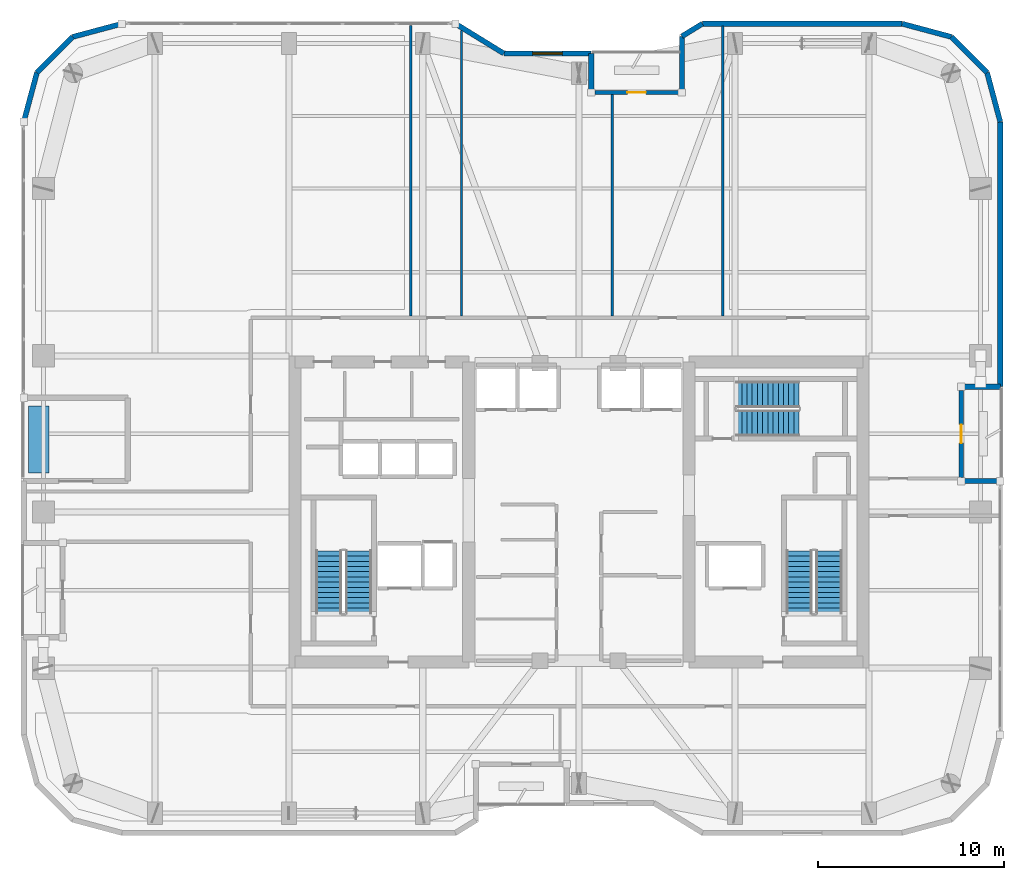
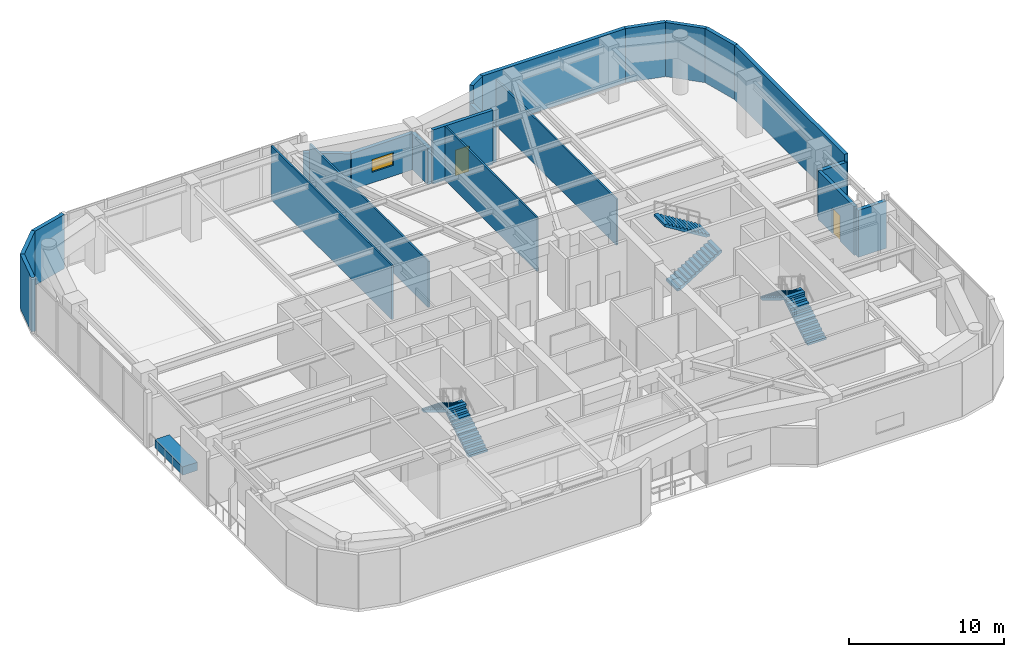
# One storey, part 18 of 21: 21 walls, 6 stair flights, 2 doors, 1 discrete accessory, 1 window, 3 openings, 3 elements without a shape of their own.
"""IFC4 building model written with IfcOpenShell, lengths in metres."""

from ifc_helpers import new_model, si_unit, direction, frame, frame_2d, origin, origin_2d, place, context, subcontext, project, spatial, polyline, rectangle, outline, extrude, material, layer, layer_set, type_object, element, fill, aggregate, save


model = new_model("IFC4")

# Units and contexts
model_context = context("Model", 3, precision=1e-05, world=origin(), true_north=direction((0.0, 1.0)))
body_context = subcontext(model_context, "Body", "Model", "MODEL_VIEW")
ifc_project = project(units=[si_unit("LENGTHUNIT", "METRE"), si_unit("AREAUNIT", "SQUARE_METRE"), si_unit("VOLUMEUNIT", "CUBIC_METRE"), si_unit("PLANEANGLEUNIT", "RADIAN"), si_unit("MASSUNIT", "GRAM", prefix="KILO")], contexts=[model_context])

# Site, building, storey
site_placement = place(None, origin())
site = spatial("IfcSite", under=ifc_project, at=site_placement, CompositionType="ELEMENT")
building_placement = place(site_placement, origin())
building = spatial("IfcBuilding", under=site, at=building_placement, Name="Kiyonajd Concourse Tower", CompositionType="ELEMENT")
storey_placement = place(building_placement, frame((0.0, 0.0, 181.800048828125)))
storey = spatial("IfcBuildingStorey", under=building, at=storey_placement, Name="L46", CompositionType="ELEMENT", Elevation=181.800048828125)

# Walls
ifc_material_1 = material(Name="Precast concrete C50/60", Category="concrete")
ifc_layer_1 = layer(ifc_material_1, 0.280029296875)
ifc_layer_set_1 = layer_set([ifc_layer_1], Name="Precast concrete C50/60")
wall_type_1 = type_object("IfcWallType", Name="WL-EXT-280", PredefinedType="SOLIDWALL", material=ifc_layer_set_1)
wall_1_placement = place(storey_placement, frame((18.139892578125, 56.981689453125, 0.0), z_axis=(0.0, 0.0, 1.0), x_axis=(0.258672222976, 0.9659651552, 0.0)))
element("IfcWall", 1, at=wall_1_placement, inside=storey, type_object=wall_type_1, Name="L46 Exterior Concrete Frame Wall 09", PredefinedType="SOLIDWALL", context=body_context, shape_type="SweptSolid", body=[
    extrude(rectangle(XDim=2.739013671875, YDim=0.280029296875, at=frame_2d((1.36962890625, 0.0))), origin(), (0.0, 0.0, 1.0), 4.280029296875),
])
wall_2_placement = place(storey_placement, frame((18.848388671875, 59.62744140625, 0.0), z_axis=(0.0, 0.0, 1.0), x_axis=(0.707106781187, 0.707106781187, 0.0)))
element("IfcWall", 2, at=wall_2_placement, inside=storey, type_object=wall_type_1, Name="L46 Exterior Concrete Frame Wall 10", PredefinedType="SOLIDWALL", context=body_context, shape_type="SweptSolid", body=[
    extrude(rectangle(XDim=2.720947265625, YDim=0.280029296875, at=frame_2d((1.3603515625, 0.0))), origin(), (0.0, 0.0, 1.0), 4.280029296875),
])
wall_3_placement = place(storey_placement, frame((20.7724609375, 61.551513671875, 0.0), z_axis=(0.0, 0.0, 1.0), x_axis=(0.965971118627, 0.258649952598, 0.0)))
element("IfcWall", 3, at=wall_3_placement, inside=storey, type_object=wall_type_1, Name="L46 Exterior Concrete Frame Wall 11", PredefinedType="SOLIDWALL", context=body_context, shape_type="SweptSolid", body=[
    extrude(rectangle(XDim=2.7392578125, YDim=0.280029296875, at=frame_2d((1.36962890625, 0.0))), origin(), (0.0, 0.0, 1.0), 4.280029296875),
])
wall_4_placement = place(storey_placement, frame((41.3603515625, 62.260009765625, 0.0), z_axis=(0.0, 0.0, 1.0), x_axis=(0.851652825334, -0.524106349037, 0.0)))
element("IfcWall", 4, at=wall_4_placement, inside=storey, type_object=wall_type_1, Name="L46 Exterior Concrete Frame Wall 13", PredefinedType="SOLIDWALL", context=body_context, shape_type="SweptSolid", body=[
    extrude(rectangle(XDim=3.052978515625, YDim=0.280029296875, at=frame_2d((1.5263671875, 0.0))), origin(), (0.0, 0.0, 1.0), 2.864990234375),
])

# Wall, opening, window
wall_5_placement = place(storey_placement, frame((43.96044921875, 60.659912109375, 0.0), z_axis=(0.0, 0.0, 1.0), x_axis=(1.0, 0.0, 0.0)))
wall_5 = element("IfcWall", 5, at=wall_5_placement, inside=storey, type_object=wall_type_1, Name="L46 Exterior Concrete Frame Wall 14", PredefinedType="SOLIDWALL", context=body_context, shape_type="SweptSolid", body=[
    extrude(rectangle(XDim=4.699462890625, YDim=0.280029296875, at=frame_2d((2.349609375, 0.0))), origin(), (0.0, 0.0, 1.0), 2.864990234375),
])
opening_1_placement = place(wall_5_placement, frame((1.550048828125, 0.0, 0.85009765625)))
opening_1 = element("IfcOpeningElement", 6, at=opening_1_placement, cuts=wall_5, Name="Opening WN6", PredefinedType="OPENING", context=body_context, shape_type="SweptSolid", body=[
    extrude(rectangle(XDim=1.60009765625, YDim=1.0, at=frame_2d((0.800048828125, 0.5))), frame((0.0, 0.14990234375, 0.0), z_axis=(0.0, -1.0, 0.0), x_axis=(1.0, 0.0, 0.0)), (0.0, 0.0, 1.0), 0.300048828125),
])
ifc_material_2 = material(Name="Double Low-E Insulated Glass", Category="glass")
window_type = type_object("IfcWindowType", Name="WN-VIS-1600x1000", PartitioningType="SINGLE_PANEL", PredefinedType="WINDOW", material=ifc_material_2)
window_placement = place(opening_1_placement, origin())
window = element("IfcWindow", 7, at=window_placement, inside=storey, type_object=window_type, Name="L46 Modular Facade Vision Window 14", OverallHeight=1.0, OverallWidth=1.60009765625, PartitioningType="SINGLE_PANEL", PredefinedType="WINDOW", context=body_context, shape_type="SweptSolid", body=[
    extrude(rectangle(XDim=1.60009765625, YDim=1.0, at=frame_2d((0.800048828125, 0.5))), frame((0.0, 0.030029296875, 0.0), z_axis=(0.0, -1.0, 0.0), x_axis=(1.0, 0.0, 0.0)), (0.0, 0.0, 1.0), 0.06005859375),
])
fill(opening_1, window)

# Walls
wall_6_placement = place(storey_placement, frame((48.659912109375, 60.659912109375, 0.0), z_axis=(0.0, 0.0, 1.0), x_axis=(0.0, -1.0, 0.0)))
element("IfcWall", 8, at=wall_6_placement, inside=storey, type_object=wall_type_1, Name="L46 Exterior Concrete Frame Wall 15", PredefinedType="SOLIDWALL", context=body_context, shape_type="SweptSolid", body=[
    extrude(rectangle(XDim=2.099853515625, YDim=0.280029296875, at=frame_2d((1.0498046875, 0.0))), origin(), (0.0, 0.0, 1.0), 2.864990234375),
])
wall_7_placement = place(storey_placement, frame((53.5400390625, 58.56005859375, 0.0), z_axis=(0.0, 0.0, 1.0), x_axis=(0.0, 1.0, 0.0)))
element("IfcWall", 9, at=wall_7_placement, inside=storey, type_object=wall_type_1, Name="L46 Exterior Concrete Frame Wall 17", PredefinedType="SOLIDWALL", context=body_context, shape_type="SweptSolid", body=[
    extrude(rectangle(XDim=3.023681640625, YDim=0.280029296875, at=frame_2d((1.51171875, 0.0))), origin(), (0.0, 0.0, 1.0), 2.864990234375),
])
wall_8_placement = place(storey_placement, frame((53.5400390625, 61.583740234375, 0.0), z_axis=(0.0, 0.0, 1.0), x_axis=(0.851801140441, 0.523865266212, 0.0)))
element("IfcWall", 10, at=wall_8_placement, inside=storey, type_object=wall_type_1, Name="L46 Exterior Concrete Frame Wall 18", PredefinedType="SOLIDWALL", context=body_context, shape_type="SweptSolid", body=[
    extrude(rectangle(XDim=1.291015625, YDim=0.280029296875, at=frame_2d((0.6455078125, 0.0))), origin(), (0.0, 0.0, 1.0), 4.280029296875),
])
wall_9_placement = place(storey_placement, frame((54.6396484375, 62.260009765625, 0.0), z_axis=(0.0, 0.0, 1.0), x_axis=(1.0, 0.0, 0.0)))
element("IfcWall", 11, at=wall_9_placement, inside=storey, type_object=wall_type_1, Name="L46 Exterior Concrete Frame Wall 19", PredefinedType="SOLIDWALL", context=body_context, shape_type="SweptSolid", body=[
    extrude(rectangle(XDim=10.741943359375, YDim=0.280029296875, at=frame_2d((5.37109375, 0.0))), origin(), (0.0, 0.0, 1.0), 4.280029296875),
])
wall_10_placement = place(storey_placement, frame((65.381591796875, 62.260009765625, 0.0), z_axis=(0.0, 0.0, 1.0), x_axis=(0.965971118627, -0.258649952598, 0.0)))
element("IfcWall", 12, at=wall_10_placement, inside=storey, type_object=wall_type_1, Name="L46 Exterior Concrete Frame Wall 20", PredefinedType="SOLIDWALL", context=body_context, shape_type="SweptSolid", body=[
    extrude(rectangle(XDim=2.7392578125, YDim=0.280029296875, at=frame_2d((1.36962890625, 0.0))), origin(), (0.0, 0.0, 1.0), 4.280029296875),
])
wall_11_placement = place(storey_placement, frame((68.027587890625, 61.551513671875, 0.0), z_axis=(0.0, 0.0, 1.0), x_axis=(0.707061915429, -0.707151644098, 0.0)))
element("IfcWall", 13, at=wall_11_placement, inside=storey, type_object=wall_type_1, Name="L46 Exterior Concrete Frame Wall 21", PredefinedType="SOLIDWALL", context=body_context, shape_type="SweptSolid", body=[
    extrude(rectangle(XDim=2.720947265625, YDim=0.280029296875, at=frame_2d((1.3603515625, 0.0))), origin(), (0.0, 0.0, 1.0), 4.280029296875),
])
wall_12_placement = place(storey_placement, frame((69.951416015625, 59.62744140625, 0.0), z_axis=(0.0, 0.0, 1.0), x_axis=(0.258672222976, -0.9659651552, 0.0)))
element("IfcWall", 14, at=wall_12_placement, inside=storey, type_object=wall_type_1, Name="L46 Exterior Concrete Frame Wall 22", PredefinedType="SOLIDWALL", context=body_context, shape_type="SweptSolid", body=[
    extrude(rectangle(XDim=2.739013671875, YDim=0.280029296875, at=frame_2d((1.36962890625, 0.0))), origin(), (0.0, 0.0, 1.0), 4.280029296875),
])
wall_13_placement = place(storey_placement, frame((70.659912109375, 56.981689453125, 0.0), z_axis=(0.0, 0.0, 1.0), x_axis=(0.0, -1.0, 0.0)))
element("IfcWall", 15, at=wall_13_placement, inside=storey, type_object=wall_type_1, Name="L46 Exterior Concrete Frame Wall 23", PredefinedType="SOLIDWALL", context=body_context, shape_type="SweptSolid", body=[
    extrude(rectangle(XDim=14.24169921875, YDim=0.280029296875, at=frame_2d((7.120849609375, 0.0))), origin(), (0.0, 0.0, 1.0), 4.280029296875),
])
for number, where, z_axis, x_axis, name in (
    (16, (70.659912109375, 42.739990234375, 0.0), (0.0, 0.0, 1.0), (-1.0, 0.0, 0.0), "L46 Exterior Concrete Frame Wall 24"),
    (17, (68.56005859375, 37.659912109375, 0.0), (0.0, 0.0, 1.0), (1.0, 0.0, 0.0), "L46 Exterior Concrete Frame Wall 26"),
):
    element("IfcWall", number, at=place(storey_placement, frame(where, z_axis=z_axis, x_axis=x_axis)), inside=storey, type_object=wall_type_1, Name=name, PredefinedType="SOLIDWALL", context=body_context, shape_type="SweptSolid", body=[
        extrude(rectangle(XDim=2.099853515625, YDim=0.280029296875, at=frame_2d((1.0498046875, 0.0))), origin(), (0.0, 0.0, 1.0), 3.716064453125),
    ])

# Wall, opening, door
ifc_layer_2 = layer(ifc_material_1, 0.239990234375)
ifc_layer_set_2 = layer_set([ifc_layer_2], Name="Precast concrete C50/60")
wall_type_2 = type_object("IfcWallType", Name="WL-LOG-240", PredefinedType="SOLIDWALL", material=ifc_layer_set_2)
wall_14_placement = place(storey_placement, frame((48.85498046875, 58.56005859375, 0.0), z_axis=(0.0, 0.0, 1.0), x_axis=(1.0, 0.0, 0.0)))
wall_14 = element("IfcWall", 18, at=wall_14_placement, inside=storey, type_object=wall_type_2, Name="L46 Recessed Loggia Thermal Wall LOG-N", PredefinedType="SOLIDWALL", context=body_context, shape_type="SweptSolid", body=[
    extrude(rectangle(XDim=4.489990234375, YDim=0.239990234375, at=frame_2d((2.2451171875, 0.0))), origin(), (0.0, 0.0, 1.0), 4.280029296875),
])
opening_2_placement = place(wall_14_placement, frame((1.7451171875, 0.0, 0.0)))
opening_2 = element("IfcOpeningElement", 19, at=opening_2_placement, cuts=wall_14, Name="Opening DL1", PredefinedType="OPENING", context=body_context, shape_type="SweptSolid", body=[
    extrude(rectangle(XDim=1.0, YDim=2.02001953125, at=frame_2d((0.5, 1.010009765625))), frame((0.0, 0.1298828125, 0.0), z_axis=(0.0, -1.0, 0.0), x_axis=(1.0, 0.0, 0.0)), (0.0, 0.0, 1.0), 0.260009765625),
])
ifc_material_3 = material(Name="Thermally Broken Anodised Aluminium", Category="aluminium")
door_type = type_object("IfcDoorType", Name="DR-LOG-1000", OperationType="NOTDEFINED", PredefinedType="DOOR", material=ifc_material_3)
door_1_placement = place(opening_2_placement, origin())
door_1 = element("IfcDoor", 20, at=door_1_placement, inside=storey, type_object=door_type, Name="L46 Engawa Loggia Access Door LOG-N", OperationType="SINGLE_SWING_RIGHT", OverallHeight=2.02001953125, OverallWidth=1.0, PredefinedType="DOOR", context=body_context, shape_type="SweptSolid", body=[
    extrude(rectangle(XDim=1.0, YDim=2.02001953125, at=frame_2d((0.5, 1.010009765625))), frame((0.0, 0.02490234375, 0.0), z_axis=(0.0, -1.0, 0.0), x_axis=(1.0, 0.0, 0.0)), (0.0, 0.0, 1.0), 0.050048828125),
])
fill(opening_2, door_1)

wall_15_placement = place(storey_placement, frame((68.56005859375, 42.544921875, 0.0), z_axis=(0.0, 0.0, 1.0), x_axis=(0.0, -1.0, 0.0)))
wall_15 = element("IfcWall", 21, at=wall_15_placement, inside=storey, type_object=wall_type_2, Name="L46 Recessed Loggia Thermal Wall LOG-E", PredefinedType="SOLIDWALL", context=body_context, shape_type="SweptSolid", body=[
    extrude(rectangle(XDim=4.68994140625, YDim=0.239990234375, at=frame_2d((2.344970703125, 0.0))), origin(), (0.0, 0.0, 1.0), 3.847900390625),
])
opening_3_placement = place(wall_15_placement, frame((1.844970703125, 0.0, 0.0)))
opening_3 = element("IfcOpeningElement", 22, at=opening_3_placement, cuts=wall_15, Name="Opening DL1", PredefinedType="OPENING", context=body_context, shape_type="SweptSolid", body=[
    extrude(rectangle(XDim=1.0, YDim=2.02001953125, at=frame_2d((0.5, 1.010009765625))), frame((0.0, 0.1298828125, 0.0), z_axis=(0.0, -1.0, 0.0), x_axis=(1.0, 0.0, 0.0)), (0.0, 0.0, 1.0), 0.260009765625),
])
door_2_placement = place(opening_3_placement, origin())
door_2 = element("IfcDoor", 23, at=door_2_placement, inside=storey, type_object=door_type, Name="L46 Engawa Loggia Access Door LOG-E", OperationType="SINGLE_SWING_LEFT", OverallHeight=2.02001953125, OverallWidth=1.0, PredefinedType="DOOR", context=body_context, shape_type="SweptSolid", body=[
    extrude(rectangle(XDim=1.0, YDim=2.02001953125, at=frame_2d((0.5, 1.010009765625))), frame((0.0, 0.02490234375, 0.0), z_axis=(0.0, -1.0, 0.0), x_axis=(1.0, 0.0, 0.0)), (0.0, 0.0, 1.0), 0.050048828125),
])
fill(opening_3, door_2)

# Walls
ifc_material_4 = material(Name="Gypsum Board on Cold-Formed Steel Stud", Category="steel")
ifc_layer_3 = layer(ifc_material_4, 0.125)
ifc_layer_set_3 = layer_set([ifc_layer_3], Name="Gypsum Board on Cold-Formed Steel Stud")
wall_type_3 = type_object("IfcWallType", Name="WL-PART-125", PredefinedType="PARTITIONING", material=ifc_layer_set_3)
wall_16_placement = place(storey_placement, frame((38.9599609375, 46.537109375, 0.0), z_axis=(0.0, 0.0, 1.0), x_axis=(0.0, 1.0, 0.0)))
element("IfcWall", 24, at=wall_16_placement, inside=storey, type_object=wall_type_3, Name="L46 Interior Partition Wall", PredefinedType="PARTITIONING", context=body_context, shape_type="SweptSolid", body=[
    extrude(rectangle(XDim=15.617919921875, YDim=0.125, at=frame_2d((7.80908203125, 0.0))), origin(), (0.0, 0.0, 1.0), 4.280029296875),
])
wall_17_placement = place(storey_placement, frame((41.679931640625, 46.537109375, 0.0), z_axis=(0.0, 0.0, 1.0), x_axis=(0.0, 1.0, 0.0)))
element("IfcWall", 25, at=wall_17_placement, inside=storey, type_object=wall_type_3, Name="L46 Interior Partition Wall", PredefinedType="PARTITIONING", context=body_context, shape_type="SweptSolid", body=[
    extrude(rectangle(XDim=15.35791015625, YDim=0.125, at=frame_2d((7.678955078125, 0.0))), origin(), (0.0, 0.0, 1.0), 3.64306640625),
])
wall_18_placement = place(storey_placement, frame((49.800048828125, 46.537109375, 0.0), z_axis=(0.0, 0.0, 1.0), x_axis=(0.0, 1.0, 0.0)))
element("IfcWall", 26, at=wall_18_placement, inside=storey, type_object=wall_type_3, Name="L46 Interior Partition Wall", PredefinedType="PARTITIONING", context=body_context, shape_type="SweptSolid", body=[
    extrude(rectangle(XDim=11.907958984375, YDim=0.125, at=frame_2d((5.9541015625, 0.0))), origin(), (0.0, 0.0, 1.0), 4.280029296875),
])
wall_19_placement = place(storey_placement, frame((55.739990234375, 46.537109375, 0.0), z_axis=(0.0, 0.0, 1.0), x_axis=(0.0, 1.0, 0.0)))
element("IfcWall", 27, at=wall_19_placement, inside=storey, type_object=wall_type_3, Name="L46 Interior Partition Wall", PredefinedType="PARTITIONING", context=body_context, shape_type="SweptSolid", body=[
    extrude(rectangle(XDim=15.587890625, YDim=0.125, at=frame_2d((7.7939453125, 0.0))), origin(), (0.0, 0.0, 1.0), 3.64306640625),
])

# Stair, stair flights
ifc_material_5 = material(Name="Concrete C40/50", Category="concrete")
stair_type = type_object("IfcStairType", Name="ST-DLG-26R", PredefinedType="HALF_TURN_STAIR", material=ifc_material_5)
stair_1_placement = place(storey_placement, origin())
stair_1 = element("IfcStair", 28, at=stair_1_placement, inside=storey, type_object=stair_type, Name="L46 Protected Exit Stair ST1", PredefinedType="HALF_TURN_STAIR")
stair_flight_type = type_object("IfcStairFlightType", Name="SF-STR-26R", PredefinedType="STRAIGHT", material=ifc_material_5)
stair_flight_1_placement = place(storey_placement, frame((36.14990234375, 30.550048828125, 0.0), z_axis=(0.0, 0.0, 1.0), x_axis=(0.0, 1.0, 0.0)))
stair_flight_1 = element("IfcStairFlight", 29, at=stair_flight_1_placement, type_object=stair_flight_type, Name="ST1 flight 1", NumberOfRisers=13, NumberOfTreads=12, PredefinedType="STRAIGHT", RiserHeight=0.173076923, TreadLength=0.28, context=body_context, shape_type="SweptSolid", body=[
    extrude(outline(polyline([(0.0, 0.0), (0.0, 0.173095703125), (0.280029296875, 0.173095703125), (0.280029296875, 0.34619140625), (0.56005859375, 0.34619140625), (0.56005859375, 0.519287109375), (0.840087890625, 0.519287109375), (0.840087890625, 0.6923828125), (1.1201171875, 0.6923828125), (1.1201171875, 0.865478515625), (1.39990234375, 0.865478515625), (1.39990234375, 1.03857421875), (1.679931640625, 1.03857421875), (1.679931640625, 1.21142578125), (1.9599609375, 1.21142578125), (1.9599609375, 1.384521484375), (2.239990234375, 1.384521484375), (2.239990234375, 1.5576171875), (2.52001953125, 1.5576171875), (2.52001953125, 1.730712890625), (2.800048828125, 1.730712890625), (2.800048828125, 1.90380859375), (3.080078125, 1.90380859375), (3.080078125, 2.076904296875), (3.360107421875, 2.076904296875), (3.360107421875, 2.25), (3.360107421875, 1.900634765625), (0.28515625, 0.0), (0.0, 0.0)])), frame((0.0, 0.699951171875, 0.0), z_axis=(0.0, -1.0, 0.0), x_axis=(1.0, 0.0, 0.0)), (0.0, 0.0, 1.0), 1.39990234375),
])
stair_flight_2_placement = place(storey_placement, frame((34.550048828125, 33.909912109375, 2.25), z_axis=(0.0, 0.0, 1.0), x_axis=(0.0, -1.0, 0.0)))
stair_flight_2 = element("IfcStairFlight", 30, at=stair_flight_2_placement, type_object=stair_flight_type, Name="ST1 flight 2", NumberOfRisers=13, NumberOfTreads=12, PredefinedType="STRAIGHT", RiserHeight=0.173076923, TreadLength=0.28, context=body_context, shape_type="SweptSolid", body=[
    extrude(outline(polyline([(0.0, 0.0), (0.0, 0.173095703125), (0.280029296875, 0.173095703125), (0.280029296875, 0.34619140625), (0.56005859375, 0.34619140625), (0.56005859375, 0.519287109375), (0.840087890625, 0.519287109375), (0.840087890625, 0.6923828125), (1.1201171875, 0.6923828125), (1.1201171875, 0.865478515625), (1.39990234375, 0.865478515625), (1.39990234375, 1.03857421875), (1.679931640625, 1.03857421875), (1.679931640625, 1.21142578125), (1.9599609375, 1.21142578125), (1.9599609375, 1.384521484375), (2.239990234375, 1.384521484375), (2.239990234375, 1.5576171875), (2.52001953125, 1.5576171875), (2.52001953125, 1.730712890625), (2.800048828125, 1.730712890625), (2.800048828125, 1.90380859375), (3.080078125, 1.90380859375), (3.080078125, 2.076904296875), (3.360107421875, 2.076904296875), (3.360107421875, 2.25), (3.360107421875, 1.900634765625), (0.28515625, 0.0), (0.0, 0.0)])), frame((0.0, 0.699951171875, 0.0), z_axis=(0.0, -1.0, 0.0), x_axis=(1.0, 0.0, 0.0)), (0.0, 0.0, 1.0), 1.39990234375),
])
aggregate(stair_1, [stair_flight_1, stair_flight_2])

stair_2_placement = place(storey_placement, origin())
stair_2 = element("IfcStair", 31, at=stair_2_placement, inside=storey, type_object=stair_type, Name="L46 Protected Exit Stair ST2", PredefinedType="HALF_TURN_STAIR")
stair_flight_3_placement = place(storey_placement, frame((61.449951171875, 30.550048828125, 0.0), z_axis=(0.0, 0.0, 1.0), x_axis=(0.0, 1.0, 0.0)))
stair_flight_3 = element("IfcStairFlight", 32, at=stair_flight_3_placement, type_object=stair_flight_type, Name="ST2 flight 1", NumberOfRisers=13, NumberOfTreads=12, PredefinedType="STRAIGHT", RiserHeight=0.173076923, TreadLength=0.28, context=body_context, shape_type="SweptSolid", body=[
    extrude(outline(polyline([(0.0, 0.0), (0.0, 0.173095703125), (0.280029296875, 0.173095703125), (0.280029296875, 0.34619140625), (0.56005859375, 0.34619140625), (0.56005859375, 0.519287109375), (0.840087890625, 0.519287109375), (0.840087890625, 0.6923828125), (1.1201171875, 0.6923828125), (1.1201171875, 0.865478515625), (1.39990234375, 0.865478515625), (1.39990234375, 1.03857421875), (1.679931640625, 1.03857421875), (1.679931640625, 1.21142578125), (1.9599609375, 1.21142578125), (1.9599609375, 1.384521484375), (2.239990234375, 1.384521484375), (2.239990234375, 1.5576171875), (2.52001953125, 1.5576171875), (2.52001953125, 1.730712890625), (2.800048828125, 1.730712890625), (2.800048828125, 1.90380859375), (3.080078125, 1.90380859375), (3.080078125, 2.076904296875), (3.360107421875, 2.076904296875), (3.360107421875, 2.25), (3.360107421875, 1.900634765625), (0.28515625, 0.0), (0.0, 0.0)])), frame((0.0, 0.699951171875, 0.0), z_axis=(0.0, -1.0, 0.0), x_axis=(1.0, 0.0, 0.0)), (0.0, 0.0, 1.0), 1.39990234375),
])
stair_flight_4_placement = place(storey_placement, frame((59.85009765625, 33.909912109375, 2.25), z_axis=(0.0, 0.0, 1.0), x_axis=(0.0, -1.0, 0.0)))
stair_flight_4 = element("IfcStairFlight", 33, at=stair_flight_4_placement, type_object=stair_flight_type, Name="ST2 flight 2", NumberOfRisers=13, NumberOfTreads=12, PredefinedType="STRAIGHT", RiserHeight=0.173076923, TreadLength=0.28, context=body_context, shape_type="SweptSolid", body=[
    extrude(outline(polyline([(0.0, 0.0), (0.0, 0.173095703125), (0.280029296875, 0.173095703125), (0.280029296875, 0.34619140625), (0.56005859375, 0.34619140625), (0.56005859375, 0.519287109375), (0.840087890625, 0.519287109375), (0.840087890625, 0.6923828125), (1.1201171875, 0.6923828125), (1.1201171875, 0.865478515625), (1.39990234375, 0.865478515625), (1.39990234375, 1.03857421875), (1.679931640625, 1.03857421875), (1.679931640625, 1.21142578125), (1.9599609375, 1.21142578125), (1.9599609375, 1.384521484375), (2.239990234375, 1.384521484375), (2.239990234375, 1.5576171875), (2.52001953125, 1.5576171875), (2.52001953125, 1.730712890625), (2.800048828125, 1.730712890625), (2.800048828125, 1.90380859375), (3.080078125, 1.90380859375), (3.080078125, 2.076904296875), (3.360107421875, 2.076904296875), (3.360107421875, 2.25), (3.360107421875, 1.900634765625), (0.28515625, 0.0), (0.0, 0.0)])), frame((0.0, 0.699951171875, 0.0), z_axis=(0.0, -1.0, 0.0), x_axis=(1.0, 0.0, 0.0)), (0.0, 0.0, 1.0), 1.39990234375),
])
aggregate(stair_2, [stair_flight_3, stair_flight_4])

stair_3_placement = place(storey_placement, origin())
stair_3 = element("IfcStair", 34, at=stair_3_placement, inside=storey, type_object=stair_type, Name="L46 Protected Exit Stair ST3", PredefinedType="HALF_TURN_STAIR")
stair_flight_5_placement = place(storey_placement, frame((56.47998046875, 40.780029296875, 0.0), z_axis=(0.0, 0.0, 1.0), x_axis=(1.0, 0.0, 0.0)))
stair_flight_5 = element("IfcStairFlight", 35, at=stair_flight_5_placement, type_object=stair_flight_type, Name="ST3 flight 1", NumberOfRisers=13, NumberOfTreads=12, PredefinedType="STRAIGHT", RiserHeight=0.173076923, TreadLength=0.28, context=body_context, shape_type="SweptSolid", body=[
    extrude(outline(polyline([(0.0, 0.0), (0.0, 0.173095703125), (0.280029296875, 0.173095703125), (0.280029296875, 0.34619140625), (0.56005859375, 0.34619140625), (0.56005859375, 0.519287109375), (0.840087890625, 0.519287109375), (0.840087890625, 0.6923828125), (1.1201171875, 0.6923828125), (1.1201171875, 0.865478515625), (1.39990234375, 0.865478515625), (1.39990234375, 1.03857421875), (1.679931640625, 1.03857421875), (1.679931640625, 1.21142578125), (1.9599609375, 1.21142578125), (1.9599609375, 1.384521484375), (2.239990234375, 1.384521484375), (2.239990234375, 1.5576171875), (2.52001953125, 1.5576171875), (2.52001953125, 1.730712890625), (2.800048828125, 1.730712890625), (2.800048828125, 1.90380859375), (3.080078125, 1.90380859375), (3.080078125, 2.076904296875), (3.360107421875, 2.076904296875), (3.360107421875, 2.25), (3.360107421875, 1.900634765625), (0.28515625, 0.0), (0.0, 0.0)])), frame((0.0, 0.699951171875, 0.0), z_axis=(0.0, -1.0, 0.0), x_axis=(1.0, 0.0, 0.0)), (0.0, 0.0, 1.0), 1.39990234375),
])
stair_flight_6_placement = place(storey_placement, frame((59.840087890625, 42.320068359375, 2.25), z_axis=(0.0, 0.0, 1.0), x_axis=(-1.0, 0.0, 0.0)))
stair_flight_6 = element("IfcStairFlight", 36, at=stair_flight_6_placement, type_object=stair_flight_type, Name="ST3 flight 2", NumberOfRisers=13, NumberOfTreads=12, PredefinedType="STRAIGHT", RiserHeight=0.173076923, TreadLength=0.28, context=body_context, shape_type="SweptSolid", body=[
    extrude(outline(polyline([(0.0, 0.0), (0.0, 0.173095703125), (0.280029296875, 0.173095703125), (0.280029296875, 0.34619140625), (0.56005859375, 0.34619140625), (0.56005859375, 0.519287109375), (0.840087890625, 0.519287109375), (0.840087890625, 0.6923828125), (1.1201171875, 0.6923828125), (1.1201171875, 0.865478515625), (1.39990234375, 0.865478515625), (1.39990234375, 1.03857421875), (1.679931640625, 1.03857421875), (1.679931640625, 1.21142578125), (1.9599609375, 1.21142578125), (1.9599609375, 1.384521484375), (2.239990234375, 1.384521484375), (2.239990234375, 1.5576171875), (2.52001953125, 1.5576171875), (2.52001953125, 1.730712890625), (2.800048828125, 1.730712890625), (2.800048828125, 1.90380859375), (3.080078125, 1.90380859375), (3.080078125, 2.076904296875), (3.360107421875, 2.076904296875), (3.360107421875, 2.25), (3.360107421875, 1.900634765625), (0.28515625, 0.0), (0.0, 0.0)])), frame((0.0, 0.699951171875, 0.0), z_axis=(0.0, -1.0, 0.0), x_axis=(1.0, 0.0, 0.0)), (0.0, 0.0, 1.0), 1.39990234375),
])
aggregate(stair_3, [stair_flight_5, stair_flight_6])

# Discrete accessory
discrete_accessory_type = type_object("IfcDiscreteAccessoryType", Name="DA-PLN-BOX", PredefinedType="USERDEFINED", material=ifc_material_1)
discrete_accessory_placement = place(storey_placement, frame((18.949951171875, 39.89990234375, 0.0), z_axis=(0.0, 0.0, 1.0), x_axis=(0.0, 1.0, 0.0)))
element("IfcDiscreteAccessory", 37, at=discrete_accessory_placement, inside=storey, type_object=discrete_accessory_type, Name="L46 West Ribbon Sky Garden Xeriscape Planter", ObjectType="PLANTER", PredefinedType="USERDEFINED", context=body_context, shape_type="SweptSolid", body=[
    extrude(rectangle(XDim=3.60009765625, YDim=1.10009765625, at=origin_2d()), origin(), (0.0, 0.0, 1.0), 0.64990234375),
])

save(model, "model.ifc")
